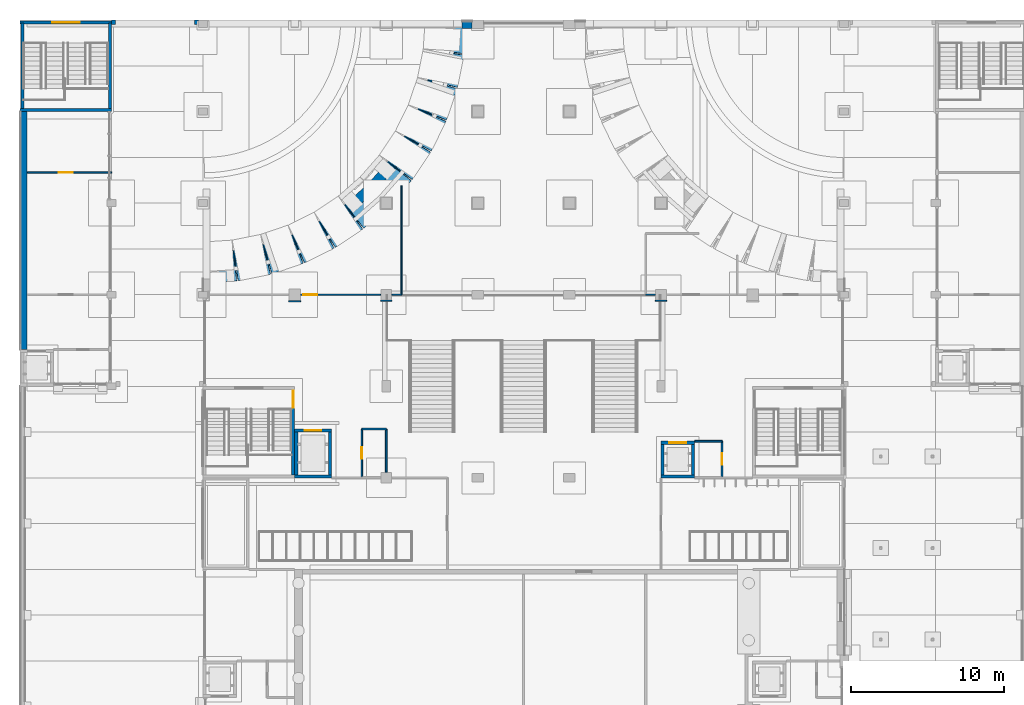
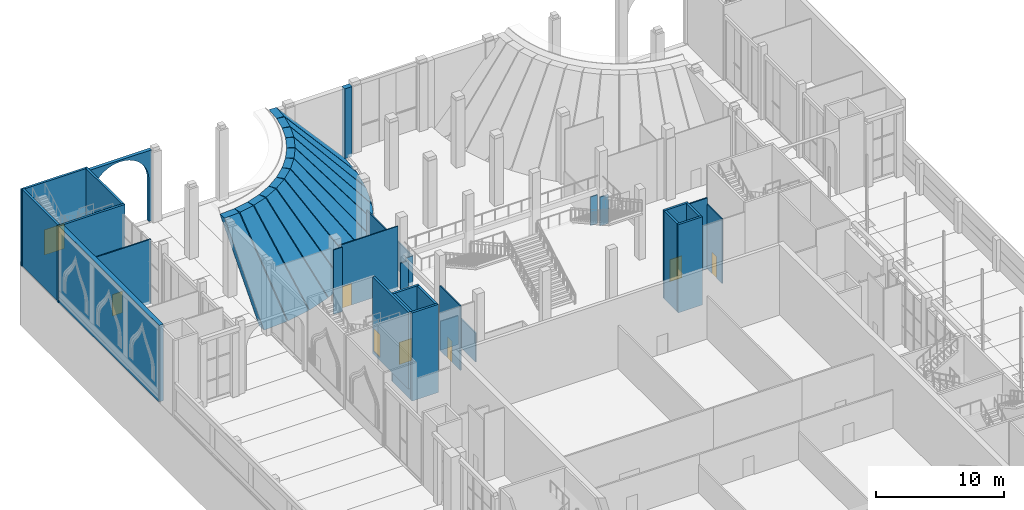
# One storey, part 50 of 95: 41 walls, 8 doors, 8 openings.
"""IFC4 building model written with IfcOpenShell, lengths in metres."""

from ifc_helpers import new_model, si_unit, direction, frame, frame_2d, origin, place, context, subcontext, project, spatial, polyline, rectangle, outline, extrude, material, layer, layer_set, type_object, element, fill, save


model = new_model("IFC4")

# Units and contexts
model_context = context("Model", 3, precision=1e-05, world=origin(), true_north=direction((0.0, 1.0)))
body_context = subcontext(model_context, "Body", "Model", "MODEL_VIEW")
ifc_project = project(units=[si_unit("LENGTHUNIT", "METRE"), si_unit("AREAUNIT", "SQUARE_METRE"), si_unit("VOLUMEUNIT", "CUBIC_METRE"), si_unit("PLANEANGLEUNIT", "RADIAN"), si_unit("MASSUNIT", "GRAM", prefix="KILO")], contexts=[model_context])

# Site, building, storey
site_placement = place(None, origin())
site = spatial("IfcSite", under=ifc_project, at=site_placement, CompositionType="ELEMENT")
building_placement = place(site_placement, origin())
building = spatial("IfcBuilding", under=site, at=building_placement, Name="Saffron Lane Theatres", CompositionType="ELEMENT")
storey_placement = place(building_placement, origin())
storey = spatial("IfcBuildingStorey", under=building, at=storey_placement, Name="L00", CompositionType="ELEMENT", Elevation=0.0)

# Walls
ifc_material_1 = material(Name="Masonry pale clay brick", Category="masonry")
ifc_layer_1 = layer(ifc_material_1, 0.300048828125)
ifc_layer_set_1 = layer_set([ifc_layer_1], Name="Masonry pale clay brick")
wall_type_1 = type_object("IfcWallType", Name="EX-ARCH SPANDREL BRICK 300", PredefinedType="SOLIDWALL", material=ifc_layer_set_1)
wall_1_placement = place(storey_placement, frame((6.0, 126.0, 0.0), z_axis=(0.0, 1.0, 0.0), x_axis=(0.0, 0.0, 1.0)))
element("IfcWall", 1, at=wall_1_placement, inside=storey, type_object=wall_type_1, Name="Arcade arch spandrel 1", PredefinedType="SOLIDWALL", context=body_context, shape_type="SweptSolid", body=[
    extrude(outline(polyline([(0.0, 0.0), (6.75, 0.0), (6.75, 5.699951171875), (0.0, 5.699951171875), (0.0, 5.449951171875), (4.0, 5.449951171875), (4.406982421875, 5.41796875), (4.802978515625, 5.322998046875), (5.179931640625, 5.1669921875), (5.528076171875, 4.952880859375), (5.837890625, 4.68798828125), (6.10302734375, 4.3779296875), (6.31689453125, 4.030029296875), (6.472900390625, 3.653076171875), (6.568115234375, 3.257080078125), (6.60009765625, 2.85009765625), (6.568115234375, 2.443115234375), (6.472900390625, 2.047119140625), (6.31689453125, 1.669921875), (6.10302734375, 1.322021484375), (5.837890625, 1.011962890625), (5.528076171875, 0.7470703125), (5.179931640625, 0.532958984375), (4.802978515625, 0.376953125), (4.406982421875, 0.281982421875), (4.0, 0.25), (0.0, 0.25), (0.0, 0.0)])), origin(), (0.0, 0.0, -1.0), 0.300048828125),
])
ifc_material_2 = material(Name="Masonry pale clay brick", Category="masonry")
ifc_layer_2 = layer(ifc_material_2, 0.449951171875)
ifc_layer_set_2 = layer_set([ifc_layer_2], Name="Masonry pale clay brick")
wall_type_2 = type_object("IfcWallType", Name="EX-WALL BRICK 450", PredefinedType="SOLIDWALL", material=ifc_layer_set_2)
wall_2_placement = place(storey_placement, frame((28.96826171875, 125.675048828125, 0.0), z_axis=(0.0, 0.0, 1.0), x_axis=(1.0, 0.0, 0.0)))
element("IfcWall", 2, at=wall_2_placement, inside=storey, type_object=wall_type_2, Name="External wall L00 07", PredefinedType="SOLIDWALL", context=body_context, shape_type="SweptSolid", body=[
    extrude(rectangle(XDim=0.65673828125, YDim=0.449951171875, at=frame_2d((0.328369140625, 0.0))), origin(), (0.0, 0.0, 1.0), 6.64990234375),
])

# Wall, opening, door
ifc_material_3 = material(Name="Masonry block partition", Category="masonry")
ifc_layer_3 = layer(ifc_material_3, 0.110107421875)
ifc_layer_set_3 = layer_set([ifc_layer_3], Name="Masonry block partition")
wall_type_3 = type_object("IfcWallType", Name="IN-BLOCK PARTITION 110", PredefinedType="PARTITIONING", material=ifc_layer_set_3)
wall_3_placement = place(storey_placement, frame((0.47998046875, 116.0, 0.0), z_axis=(0.0, 0.0, 1.0), x_axis=(1.0, 0.0, 0.0)))
wall_3 = element("IfcWall", 3, at=wall_3_placement, inside=storey, type_object=wall_type_3, Name="PW-L00-006", PredefinedType="PARTITIONING", context=body_context, shape_type="SweptSolid", body=[
    extrude(rectangle(XDim=5.52001953125, YDim=0.110107421875, at=frame_2d((2.760009765625, 0.0))), origin(), (0.0, 0.0, 1.0), 6.14990234375),
])
opening_1_placement = place(wall_3_placement, frame((2.070068359375, 0.0, 0.0)))
opening_1 = element("IfcOpeningElement", 4, at=opening_1_placement, cuts=wall_3, Name="Opening D00-02", PredefinedType="OPENING", context=body_context, shape_type="SweptSolid", body=[
    extrude(rectangle(XDim=0.919921875, YDim=2.0400390625, at=frame_2d((0.4599609375, 1.02001953125))), frame((0.0, 0.06494140625, 0.0), z_axis=(0.0, -1.0, 0.0), x_axis=(1.0, 0.0, 0.0)), (0.0, 0.0, 1.0), 0.130126953125),
])
ifc_material_4 = material(Name="Steel faced fire door leaf", Category="steel")
door_type_1 = type_object("IfcDoorType", Name="IN-DOOR 920x2040 FD60", OperationType="NOTDEFINED", PredefinedType="DOOR", material=ifc_material_4)
door_1_placement = place(opening_1_placement, origin())
door_1 = element("IfcDoor", 5, at=door_1_placement, inside=storey, type_object=door_type_1, Name="D00-02", OperationType="SINGLE_SWING_RIGHT", OverallHeight=2.0400390625, OverallWidth=0.919921875, PredefinedType="DOOR", context=body_context, shape_type="SweptSolid", body=[
    extrude(rectangle(XDim=0.919921875, YDim=2.0400390625, at=frame_2d((0.4599609375, 1.02001953125))), frame((0.0, 0.02490234375, 0.0), z_axis=(0.0, -1.0, 0.0), x_axis=(1.0, 0.0, 0.0)), (0.0, 0.0, 1.0), 0.050048828125),
])
fill(opening_1, door_1)

wall_4_placement = place(storey_placement, frame((46.0, 96.0, 0.0), z_axis=(0.0, 0.0, 1.0), x_axis=(0.0, 1.0, 0.0)))
wall_4 = element("IfcWall", 6, at=wall_4_placement, inside=storey, type_object=wall_type_3, Name="PW-L00-043", PredefinedType="PARTITIONING", context=body_context, shape_type="SweptSolid", body=[
    extrude(rectangle(XDim=2.39990234375, YDim=0.110107421875, at=frame_2d((1.199951171875, 0.0))), origin(), (0.0, 0.0, 1.0), 6.14990234375),
])
opening_2_placement = place(wall_4_placement, frame((0.85009765625, 0.0, 0.0)))
opening_2 = element("IfcOpeningElement", 7, at=opening_2_placement, cuts=wall_4, Name="Opening D00-45", PredefinedType="OPENING", context=body_context, shape_type="SweptSolid", body=[
    extrude(rectangle(XDim=0.75, YDim=2.0400390625, at=frame_2d((0.375, 1.02001953125))), frame((0.0, 0.06494140625, 0.0), z_axis=(0.0, -1.0, 0.0), x_axis=(1.0, 0.0, 0.0)), (0.0, 0.0, 1.0), 0.130126953125),
])
ifc_material_5 = material(Name="Steel faced fire door leaf", Category="steel")
door_type_2 = type_object("IfcDoorType", Name="IN-DOOR 750x2040 FD60", OperationType="NOTDEFINED", PredefinedType="DOOR", material=ifc_material_5)
door_2_placement = place(opening_2_placement, origin())
door_2 = element("IfcDoor", 8, at=door_2_placement, inside=storey, type_object=door_type_2, Name="D00-45", OperationType="SINGLE_SWING_RIGHT", OverallHeight=2.0400390625, OverallWidth=0.75, PredefinedType="DOOR", context=body_context, shape_type="SweptSolid", body=[
    extrude(rectangle(XDim=0.75, YDim=2.0400390625, at=frame_2d((0.375, 1.02001953125))), frame((0.0, 0.02490234375, 0.0), z_axis=(0.0, -1.0, 0.0), x_axis=(1.0, 0.0, 0.0)), (0.0, 0.0, 1.0), 0.050048828125),
])
fill(opening_2, door_2)

# Walls
wall_5_placement = place(storey_placement, frame((44.219970703125, 98.39990234375, 0.0), z_axis=(0.0, 0.0, 1.0), x_axis=(1.0, 0.0, 0.0)))
element("IfcWall", 9, at=wall_5_placement, inside=storey, type_object=wall_type_3, Name="PW-L00-044", PredefinedType="PARTITIONING", context=body_context, shape_type="SweptSolid", body=[
    extrude(rectangle(XDim=1.780029296875, YDim=0.110107421875, at=frame_2d((0.89013671875, 0.0))), origin(), (0.0, 0.0, 1.0), 6.75),
])
wall_6_placement = place(storey_placement, frame((24.0, 96.3701171875, 0.0), z_axis=(0.0, 0.0, 1.0), x_axis=(0.0, 1.0, 0.0)))
element("IfcWall", 10, at=wall_6_placement, inside=storey, type_object=wall_type_3, Name="PW-L00-055", PredefinedType="PARTITIONING", context=body_context, shape_type="SweptSolid", body=[
    extrude(rectangle(XDim=2.829833984375, YDim=0.110107421875, at=frame_2d((1.4150390625, 0.0))), origin(), (0.0, 0.0, 1.0), 2.75),
])
wall_7_placement = place(storey_placement, frame((22.39990234375, 99.199951171875, 0.0), z_axis=(0.0, 0.0, 1.0), x_axis=(1.0, 0.0, 0.0)))
element("IfcWall", 11, at=wall_7_placement, inside=storey, type_object=wall_type_3, Name="PW-L00-056", PredefinedType="PARTITIONING", context=body_context, shape_type="SweptSolid", body=[
    extrude(rectangle(XDim=1.60009765625, YDim=0.110107421875, at=frame_2d((0.800048828125, 0.0))), origin(), (0.0, 0.0, 1.0), 2.75),
])

# Wall, opening, door
wall_8_placement = place(storey_placement, frame((22.39990234375, 96.0, 0.0), z_axis=(0.0, 0.0, 1.0), x_axis=(0.0, 1.0, 0.0)))
wall_8 = element("IfcWall", 12, at=wall_8_placement, inside=storey, type_object=wall_type_3, Name="PW-L00-057", PredefinedType="PARTITIONING", context=body_context, shape_type="SweptSolid", body=[
    extrude(rectangle(XDim=3.199951171875, YDim=0.110107421875, at=frame_2d((1.60009765625, 0.0))), origin(), (0.0, 0.0, 1.0), 6.14990234375),
])
opening_3_placement = place(wall_8_placement, frame((1.25, 0.0, 0.0)))
opening_3 = element("IfcOpeningElement", 13, at=opening_3_placement, cuts=wall_8, Name="Opening D00-44", PredefinedType="OPENING", context=body_context, shape_type="SweptSolid", body=[
    extrude(rectangle(XDim=0.75, YDim=2.0400390625, at=frame_2d((0.375, 1.02001953125))), frame((0.0, 0.06494140625, 0.0), z_axis=(0.0, -1.0, 0.0), x_axis=(1.0, 0.0, 0.0)), (0.0, 0.0, 1.0), 0.130126953125),
])
door_3_placement = place(opening_3_placement, frame((0.75, 0.0, 0.0), z_axis=(0.0, 0.0, 1.0), x_axis=(-1.0, 0.0, 0.0)))
door_3 = element("IfcDoor", 14, at=door_3_placement, inside=storey, type_object=door_type_2, Name="D00-44", OperationType="SINGLE_SWING_LEFT", OverallHeight=2.0400390625, OverallWidth=0.75, PredefinedType="DOOR", context=body_context, shape_type="SweptSolid", body=[
    extrude(rectangle(XDim=0.75, YDim=2.0400390625, at=frame_2d((0.375, 1.02001953125))), frame((0.0, 0.02490234375, 0.0), z_axis=(0.0, -1.0, 0.0), x_axis=(1.0, 0.0, 0.0)), (0.0, 0.0, 1.0), 0.050048828125),
])
fill(opening_3, door_3)

ifc_material_6 = material(Name="Plasterboard on 90 mm steel studs", Category="steel")
ifc_layer_4 = layer(ifc_material_6, 0.090087890625)
ifc_layer_set_4 = layer_set([ifc_layer_4], Name="Plasterboard on 90 mm steel studs")
wall_type_4 = type_object("IfcWallType", Name="IN-STUD PARTITION 090", PredefinedType="PARTITIONING", material=ifc_layer_set_4)
wall_9_placement = place(storey_placement, frame((18.39501953125, 108.0, 0.0), z_axis=(0.0, 0.0, 1.0), x_axis=(1.0, 0.0, 0.0)))
wall_9 = element("IfcWall", 15, at=wall_9_placement, inside=storey, type_object=wall_type_4, Name="PW-L00-104", PredefinedType="PARTITIONING", context=body_context, shape_type="SweptSolid", body=[
    extrude(rectangle(XDim=5.23486328125, YDim=0.090087890625, at=frame_2d((2.617431640625, 0.0))), origin(), (0.0, 0.0, 1.0), 6.050048828125),
])
opening_4_placement = place(wall_9_placement, frame((0.155029296875, 0.0, 0.0)))
opening_4 = element("IfcOpeningElement", 16, at=opening_4_placement, cuts=wall_9, Name="Opening D00-04", PredefinedType="OPENING", context=body_context, shape_type="SweptSolid", body=[
    extrude(rectangle(XDim=0.919921875, YDim=2.0400390625, at=frame_2d((0.4599609375, 1.02001953125))), frame((0.0, 0.05517578125, 0.0), z_axis=(0.0, -1.0, 0.0), x_axis=(1.0, 0.0, 0.0)), (0.0, 0.0, 1.0), 0.110107421875),
])
ifc_material_7 = material(Name="Timber door leaf", Category="wood")
door_type_3 = type_object("IfcDoorType", Name="IN-DOOR 920x2040", OperationType="NOTDEFINED", PredefinedType="DOOR", material=ifc_material_7)
door_4_placement = place(opening_4_placement, origin())
door_4 = element("IfcDoor", 17, at=door_4_placement, inside=storey, type_object=door_type_3, Name="D00-04", OperationType="SINGLE_SWING_RIGHT", OverallHeight=2.0400390625, OverallWidth=0.919921875, PredefinedType="DOOR", context=body_context, shape_type="SweptSolid", body=[
    extrude(rectangle(XDim=0.919921875, YDim=2.0400390625, at=frame_2d((0.4599609375, 1.02001953125))), frame((0.0, 0.02490234375, 0.0), z_axis=(0.0, -1.0, 0.0), x_axis=(1.0, 0.0, 0.0)), (0.0, 0.0, 1.0), 0.050048828125),
])
fill(opening_4, door_4)

# Walls
wall_10_placement = place(storey_placement, frame((24.3701171875, 108.0, 0.0), z_axis=(0.0, 0.0, 1.0), x_axis=(1.0, 0.0, 0.0)))
element("IfcWall", 18, at=wall_10_placement, inside=storey, type_object=wall_type_4, Name="PW-L00-105", PredefinedType="PARTITIONING", context=body_context, shape_type="SweptSolid", body=[
    extrude(rectangle(XDim=0.6298828125, YDim=0.090087890625, at=frame_2d((0.31494140625, 0.0))), origin(), (0.0, 0.0, 1.0), 2.75),
])
wall_11_placement = place(storey_placement, frame((17.60498046875, 107.574951171875, 0.0), z_axis=(0.0, 0.0, 1.0), x_axis=(1.0, 0.0, 0.0)))
element("IfcWall", 19, at=wall_11_placement, inside=storey, type_object=wall_type_4, Name="PW-L00-106", PredefinedType="PARTITIONING", context=body_context, shape_type="SweptSolid", body=[
    extrude(rectangle(XDim=0.7900390625, YDim=0.090087890625, at=frame_2d((0.39501953125, 0.0))), origin(), (0.0, 0.0, 1.0), 6.14990234375),
])
wall_12_placement = place(storey_placement, frame((23.6298828125, 107.60009765625, 0.0), z_axis=(0.0, 0.0, 1.0), x_axis=(1.0, 0.0, 0.0)))
element("IfcWall", 20, at=wall_12_placement, inside=storey, type_object=wall_type_4, Name="PW-L00-107", PredefinedType="PARTITIONING", context=body_context, shape_type="SweptSolid", body=[
    extrude(rectangle(XDim=0.740234375, YDim=0.090087890625, at=frame_2d((0.3701171875, 0.0))), origin(), (0.0, 0.0, 1.0), 2.75),
])
wall_13_placement = place(storey_placement, frame((25.0, 108.0, 0.0), z_axis=(0.0, 0.0, 1.0), x_axis=(0.0, 1.0, 0.0)))
element("IfcWall", 21, at=wall_13_placement, inside=storey, type_object=wall_type_4, Name="PW-L00-108", PredefinedType="PARTITIONING", context=body_context, shape_type="SweptSolid", body=[
    extrude(rectangle(XDim=7.143310546875, YDim=0.090087890625, at=frame_2d((3.57177734375, 0.0))), origin(), (0.0, 0.0, 1.0), 2.75),
])
wall_14_placement = place(storey_placement, frame((41.0, 108.0, 0.0), z_axis=(0.0, 0.0, 1.0), x_axis=(1.0, 0.0, 0.0)))
element("IfcWall", 22, at=wall_14_placement, inside=storey, type_object=wall_type_4, Name="PW-L00-115", PredefinedType="PARTITIONING", context=body_context, shape_type="SweptSolid", body=[
    extrude(rectangle(XDim=0.6298828125, YDim=0.090087890625, at=frame_2d((0.31494140625, 0.0))), origin(), (0.0, 0.0, 1.0), 2.75),
])
wall_15_placement = place(storey_placement, frame((41.6298828125, 107.60009765625, 0.0), z_axis=(0.0, 0.0, 1.0), x_axis=(1.0, 0.0, 0.0)))
element("IfcWall", 23, at=wall_15_placement, inside=storey, type_object=wall_type_4, Name="PW-L00-117", PredefinedType="PARTITIONING", context=body_context, shape_type="SweptSolid", body=[
    extrude(rectangle(XDim=0.740234375, YDim=0.090087890625, at=frame_2d((0.3701171875, 0.0))), origin(), (0.0, 0.0, 1.0), 2.75),
])

# Wall, opening, door
ifc_material_8 = material(Name="Concrete N50 (50 MPa)", Category="concrete")
ifc_layer_5 = layer(ifc_material_8, 0.199951171875)
ifc_layer_set_5 = layer_set([ifc_layer_5], Name="Concrete N50 (50 MPa)")
wall_type_5 = type_object("IfcWallType", Name="RC-CORE 200", PredefinedType="SHEAR", material=ifc_layer_set_5)
wall_16_placement = place(storey_placement, frame((17.89990234375, 96.199951171875, -0.300048828125), z_axis=(0.0, 0.0, 1.0), x_axis=(0.0, 1.0, 0.0)))
wall_16 = element("IfcWall", 24, at=wall_16_placement, inside=storey, type_object=wall_type_5, Name="W-ST1-E-L00", PredefinedType="SHEAR", context=body_context, shape_type="SweptSolid", body=[
    extrude(rectangle(XDim=5.60009765625, YDim=0.199951171875, at=frame_2d((2.800048828125, 0.0))), origin(), (0.0, 0.0, 1.0), 7.300048828125),
])
opening_5_placement = place(wall_16_placement, frame((4.39990234375, 0.0, 0.300048828125)))
opening_5 = element("IfcOpeningElement", 25, at=opening_5_placement, cuts=wall_16, Name="Opening D00-32", PredefinedType="OPENING", context=body_context, shape_type="SweptSolid", body=[
    extrude(rectangle(XDim=1.10009765625, YDim=2.199951171875, at=frame_2d((0.550048828125, 1.10009765625))), frame((0.0, 0.10986328125, 0.0), z_axis=(0.0, -1.0, 0.0), x_axis=(1.0, 0.0, 0.0)), (0.0, 0.0, 1.0), 0.219970703125),
])
ifc_material_9 = material(Name="Steel faced fire door leaf", Category="steel")
door_type_4 = type_object("IfcDoorType", Name="IN-DOOR 1100x2200 FD120", OperationType="NOTDEFINED", PredefinedType="DOOR", material=ifc_material_9)
door_5_placement = place(opening_5_placement, origin())
door_5 = element("IfcDoor", 26, at=door_5_placement, inside=storey, type_object=door_type_4, Name="D00-32", OperationType="SINGLE_SWING_LEFT", OverallHeight=2.199951171875, OverallWidth=1.10009765625, PredefinedType="DOOR", context=body_context, shape_type="SweptSolid", body=[
    extrude(rectangle(XDim=1.10009765625, YDim=2.199951171875, at=frame_2d((0.550048828125, 1.10009765625))), frame((0.0, 0.02490234375, 0.0), z_axis=(0.0, -1.0, 0.0), x_axis=(1.0, 0.0, 0.0)), (0.0, 0.0, 1.0), 0.050048828125),
])
fill(opening_5, door_5)

# Wall
wall_17_placement = place(storey_placement, frame((0.0, 120.10009765625, -0.300048828125), z_axis=(0.0, 0.0, 1.0), x_axis=(1.0, 0.0, 0.0)))
element("IfcWall", 27, at=wall_17_placement, inside=storey, type_object=wall_type_5, Name="W-ST14-S-L00", PredefinedType="SHEAR", context=body_context, shape_type="SweptSolid", body=[
    extrude(rectangle(XDim=6.0, YDim=0.199951171875, at=frame_2d((3.0, 0.0))), origin(), (0.0, 0.0, 1.0), 7.300048828125),
])

# Wall, opening, door
wall_18_placement = place(storey_placement, frame((18.0, 99.10009765625, -1.39990234375), z_axis=(0.0, 0.0, 1.0), x_axis=(1.0, 0.0, 0.0)))
wall_18 = element("IfcWall", 28, at=wall_18_placement, inside=storey, type_object=wall_type_5, Name="W-LC1-N-L00", PredefinedType="SHEAR", context=body_context, shape_type="SweptSolid", body=[
    extrude(rectangle(XDim=2.39990234375, YDim=0.199951171875, at=frame_2d((1.199951171875, 0.0))), origin(), (0.0, 0.0, 1.0), 8.39990234375),
])
opening_6_placement = place(wall_18_placement, frame((0.64990234375, 0.0, 1.39990234375)))
opening_6 = element("IfcOpeningElement", 29, at=opening_6_placement, cuts=wall_18, Name="Opening LD1", PredefinedType="OPENING", context=body_context, shape_type="SweptSolid", body=[
    extrude(rectangle(XDim=1.10009765625, YDim=2.10009765625, at=frame_2d((0.550048828125, 1.050048828125))), frame((0.0, 0.10986328125, 0.0), z_axis=(0.0, -1.0, 0.0), x_axis=(1.0, 0.0, 0.0)), (0.0, 0.0, 1.0), 0.219970703125),
])
ifc_material_10 = material(Name="Stainless steel 316", Category="steel")
door_type_5 = type_object("IfcDoorType", Name="VC-LANDING DOOR 1100x2100", OperationType="DOUBLE_DOOR_SLIDING", PredefinedType="DOOR", material=ifc_material_10)
door_6_placement = place(opening_6_placement, origin())
door_6 = element("IfcDoor", 30, at=door_6_placement, inside=storey, type_object=door_type_5, Name="Landing doors LC1 L00", OperationType="DOUBLE_DOOR_SLIDING", OverallHeight=2.10009765625, OverallWidth=1.10009765625, PredefinedType="DOOR", context=body_context, shape_type="SweptSolid", body=[
    extrude(rectangle(XDim=1.10009765625, YDim=2.10009765625, at=frame_2d((0.550048828125, 1.050048828125))), frame((0.0, 0.02490234375, 0.0), z_axis=(0.0, -1.0, 0.0), x_axis=(1.0, 0.0, 0.0)), (0.0, 0.0, 1.0), 0.050048828125),
])
fill(opening_6, door_6)

# Walls
wall_19_placement = place(storey_placement, frame((18.0, 96.10009765625, -1.39990234375), z_axis=(0.0, 0.0, 1.0), x_axis=(1.0, 0.0, 0.0)))
element("IfcWall", 31, at=wall_19_placement, inside=storey, type_object=wall_type_5, Name="W-LC1-S-L00", PredefinedType="SHEAR", context=body_context, shape_type="SweptSolid", body=[
    extrude(rectangle(XDim=2.39990234375, YDim=0.199951171875, at=frame_2d((1.199951171875, 0.0))), origin(), (0.0, 0.0, 1.0), 8.39990234375),
])
for number, where, z_axis, x_axis, name in (
    (32, (18.10009765625, 96.199951171875, -1.39990234375), (0.0, 0.0, 1.0), (0.0, 1.0, 0.0), "W-LC1-W-L00"),
    (33, (20.300048828125, 96.199951171875, -1.39990234375), (0.0, 0.0, 1.0), (0.0, 1.0, 0.0), "W-LC1-E-L00"),
):
    element("IfcWall", number, at=place(storey_placement, frame(where, z_axis=z_axis, x_axis=x_axis)), inside=storey, type_object=wall_type_5, Name=name, PredefinedType="SHEAR", context=body_context, shape_type="SweptSolid", body=[
        extrude(rectangle(XDim=2.800048828125, YDim=0.199951171875, at=frame_2d((1.39990234375, 0.0))), origin(), (0.0, 0.0, 1.0), 8.39990234375),
    ])

# Wall, opening, door
wall_20_placement = place(storey_placement, frame((42.0, 98.300048828125, -1.39990234375), z_axis=(0.0, 0.0, 1.0), x_axis=(1.0, 0.0, 0.0)))
wall_20 = element("IfcWall", 34, at=wall_20_placement, inside=storey, type_object=wall_type_5, Name="W-LC2-N-L00", PredefinedType="SHEAR", context=body_context, shape_type="SweptSolid", body=[
    extrude(rectangle(XDim=2.199951171875, YDim=0.199951171875, at=frame_2d((1.10009765625, 0.0))), origin(), (0.0, 0.0, 1.0), 8.39990234375),
])
opening_7_placement = place(wall_20_placement, frame((0.550048828125, 0.0, 1.39990234375)))
opening_7 = element("IfcOpeningElement", 35, at=opening_7_placement, cuts=wall_20, Name="Opening LD5", PredefinedType="OPENING", context=body_context, shape_type="SweptSolid", body=[
    extrude(rectangle(XDim=1.10009765625, YDim=2.10009765625, at=frame_2d((0.550048828125, 1.050048828125))), frame((0.0, 0.10986328125, 0.0), z_axis=(0.0, -1.0, 0.0), x_axis=(1.0, 0.0, 0.0)), (0.0, 0.0, 1.0), 0.219970703125),
])
door_7_placement = place(opening_7_placement, origin())
door_7 = element("IfcDoor", 36, at=door_7_placement, inside=storey, type_object=door_type_5, Name="Landing doors LC2 L00", OperationType="DOUBLE_DOOR_SLIDING", OverallHeight=2.10009765625, OverallWidth=1.10009765625, PredefinedType="DOOR", context=body_context, shape_type="SweptSolid", body=[
    extrude(rectangle(XDim=1.10009765625, YDim=2.10009765625, at=frame_2d((0.550048828125, 1.050048828125))), frame((0.0, 0.02490234375, 0.0), z_axis=(0.0, -1.0, 0.0), x_axis=(1.0, 0.0, 0.0)), (0.0, 0.0, 1.0), 0.050048828125),
])
fill(opening_7, door_7)

# Walls
wall_21_placement = place(storey_placement, frame((42.0, 96.10009765625, -1.39990234375), z_axis=(0.0, 0.0, 1.0), x_axis=(1.0, 0.0, 0.0)))
element("IfcWall", 37, at=wall_21_placement, inside=storey, type_object=wall_type_5, Name="W-LC2-S-L00", PredefinedType="SHEAR", context=body_context, shape_type="SweptSolid", body=[
    extrude(rectangle(XDim=2.199951171875, YDim=0.199951171875, at=frame_2d((1.10009765625, 0.0))), origin(), (0.0, 0.0, 1.0), 8.39990234375),
])
for number, where, z_axis, x_axis, name in (
    (38, (42.10009765625, 96.199951171875, -1.39990234375), (0.0, 0.0, 1.0), (0.0, 1.0, 0.0), "W-LC2-W-L00"),
    (39, (44.10009765625, 96.199951171875, -1.39990234375), (0.0, 0.0, 1.0), (0.0, 1.0, 0.0), "W-LC2-E-L00"),
):
    element("IfcWall", number, at=place(storey_placement, frame(where, z_axis=z_axis, x_axis=x_axis)), inside=storey, type_object=wall_type_5, Name=name, PredefinedType="SHEAR", context=body_context, shape_type="SweptSolid", body=[
        extrude(rectangle(XDim=2.0, YDim=0.199951171875, at=frame_2d((1.0, 0.0))), origin(), (0.0, 0.0, 1.0), 8.39990234375),
    ])

# Wall, opening, door
ifc_material_11 = material(Name="Concrete N50 (50 MPa)", Category="concrete")
ifc_layer_6 = layer(ifc_material_11, 0.199951171875)
ifc_layer_set_6 = layer_set([ifc_layer_6], Name="Concrete N50 (50 MPa)")
wall_type_6 = type_object("IfcWallType", Name="RC-CORE EXTERNAL 200", PredefinedType="SHEAR", material=ifc_layer_set_6)
wall_22_placement = place(storey_placement, frame((0.0, 125.840087890625, -0.300048828125), z_axis=(0.0, 0.0, 1.0), x_axis=(1.0, 0.0, 0.0)))
wall_22 = element("IfcWall", 40, at=wall_22_placement, inside=storey, type_object=wall_type_6, Name="W-ST14-N-L00", PredefinedType="SHEAR", context=body_context, shape_type="SweptSolid", body=[
    extrude(rectangle(XDim=6.0, YDim=0.199951171875, at=frame_2d((3.0, 0.0))), origin(), (0.0, 0.0, 1.0), 7.300048828125),
])
opening_8_placement = place(wall_22_placement, frame((2.10009765625, 0.0, 0.300048828125)))
opening_8 = element("IfcOpeningElement", 41, at=opening_8_placement, cuts=wall_22, Name="Opening EDST14", PredefinedType="OPENING", context=body_context, shape_type="SweptSolid", body=[
    extrude(rectangle(XDim=1.800048828125, YDim=2.39990234375, at=frame_2d((0.89990234375, 1.199951171875))), frame((0.0, 0.10986328125, 0.0), z_axis=(0.0, -1.0, 0.0), x_axis=(1.0, 0.0, 0.0)), (0.0, 0.0, 1.0), 0.219970703125),
])
ifc_material_12 = material(Name="Steel faced fire door leaf", Category="steel")
door_type_6 = type_object("IfcDoorType", Name="EX-EXIT DOOR PAIR 1800x2400", OperationType="DOUBLE_DOOR_SINGLE_SWING", PredefinedType="DOOR", material=ifc_material_12)
door_8_placement = place(opening_8_placement, origin())
door_8 = element("IfcDoor", 42, at=door_8_placement, inside=storey, type_object=door_type_6, Name="Exit door ST14", OperationType="DOUBLE_DOOR_SINGLE_SWING", OverallHeight=2.39990234375, OverallWidth=1.800048828125, PredefinedType="DOOR", context=body_context, shape_type="SweptSolid", body=[
    extrude(rectangle(XDim=1.800048828125, YDim=2.39990234375, at=frame_2d((0.89990234375, 1.199951171875))), frame((0.0, 0.02490234375, 0.0), z_axis=(0.0, -1.0, 0.0), x_axis=(1.0, 0.0, 0.0)), (0.0, 0.0, 1.0), 0.050048828125),
])
fill(opening_8, door_8)

# Walls
for number, where, z_axis, x_axis, name in (
    (43, (0.159912109375, 120.199951171875, -0.300048828125), (0.0, 0.0, 1.0), (0.0, 1.0, 0.0), "W-ST14-W-L00"),
    (44, (5.89990234375, 120.199951171875, -0.300048828125), (0.0, 0.0, 1.0), (0.0, 1.0, 0.0), "W-ST14-E-L00"),
):
    element("IfcWall", number, at=place(storey_placement, frame(where, z_axis=z_axis, x_axis=x_axis)), inside=storey, type_object=wall_type_6, Name=name, PredefinedType="SHEAR", context=body_context, shape_type="SweptSolid", body=[
        extrude(rectangle(XDim=5.60009765625, YDim=0.199951171875, at=frame_2d((2.800048828125, 0.0))), origin(), (0.0, 0.0, 1.0), 7.300048828125),
    ])
ifc_material_13 = material(Name="Concrete N50 (50 MPa)", Category="concrete")
ifc_layer_7 = layer(ifc_material_13, 0.39990234375)
ifc_layer_set_7 = layer_set([ifc_layer_7], Name="Concrete N50 (50 MPa)")
wall_type_7 = type_object("IfcWallType", Name="RC-PARTY 400", PredefinedType="SOLIDWALL", material=ifc_layer_set_7)
wall_23_placement = place(storey_placement, frame((0.260009765625, 104.39990234375, -0.300048828125), z_axis=(0.0, 0.0, 1.0), x_axis=(0.0, 1.0, 0.0)))
element("IfcWall", 45, at=wall_23_placement, inside=storey, type_object=wall_type_7, Name="W-PARTY-W-104-L00", PredefinedType="SOLIDWALL", context=body_context, shape_type="SweptSolid", body=[
    extrude(rectangle(XDim=15.60009765625, YDim=0.39990234375, at=frame_2d((7.800048828125, 0.0))), origin(), (0.0, 0.0, 1.0), 7.300048828125),
])
ifc_material_14 = material(Name="Concrete N50 (50 MPa)", Category="concrete")
ifc_layer_8 = layer(ifc_material_14, 0.5)
ifc_layer_set_8 = layer_set([ifc_layer_8], Name="Concrete N50 (50 MPa)")
wall_type_8 = type_object("IfcWallType", Name="RC-SCOOP 500", PredefinedType="SOLIDWALL", material=ifc_layer_set_8)
wall_24_placement = place(storey_placement, frame((28.565185546875, 125.99951171875, -0.300048828125), z_axis=(0.748191222673, -0.04900815869, 0.661670684477), x_axis=(-0.065357824287, -0.997861891637, -4.871716e-06)))
element("IfcWall", 46, at=wall_24_placement, inside=storey, type_object=wall_type_8, Name="W-SCOOP-NW-L00-1-F1", PredefinedType="SOLIDWALL", context=body_context, shape_type="SweptSolid", body=[
    extrude(outline(polyline([(0.0, 0.0), (2.166741320903543, -1.3877787807814457e-17), (1.7646945184187275, -9.269151841194546), (0.4016710310718751, -9.269128906895183), (0.0, 0.0)])), origin(), (4.5268111e-05, 0.661670683642, 0.749794574774), 0.666748046875),
])
wall_25_placement = place(storey_placement, frame((28.423583984375, 123.83740234375, -0.300048828125), z_axis=(0.73538668284, -0.146257877538, 0.661675947847), x_axis=(-0.195050913102, -0.980793118363, -1.6436784e-05)))
element("IfcWall", 47, at=wall_25_placement, inside=storey, type_object=wall_type_8, Name="W-SCOOP-NW-L00-1-F2", PredefinedType="SOLIDWALL", context=body_context, shape_type="SweptSolid", body=[
    extrude(outline(polyline([(0.0, 0.0), (2.1668547914863536, -5.551115123125783e-17), (1.7644944984231317, -9.269236478715648), (0.4018792703258964, -9.269159106194476), (0.0, 0.0)])), origin(), (3.9919669e-05, 0.661675946918, 0.749789930365), 0.666748046875),
])
wall_26_placement = place(storey_placement, frame((28.0009765625, 121.712158203125, -0.300048828125), z_axis=(0.710000727249, -0.241022741766, 0.661669861228), x_axis=(-0.321485395559, -0.946914536157, 4.0695407e-05)))
element("IfcWall", 48, at=wall_26_placement, inside=storey, type_object=wall_type_8, Name="W-SCOOP-NW-L00-1-F3", PredefinedType="SOLIDWALL", context=body_context, shape_type="SweptSolid", body=[
    extrude(outline(polyline([(0.0, 0.0), (2.1670742176094273, -1.1102230246251565e-16), (1.765631630873147, -9.269035577381615), (0.40257451361315066, -9.269227176518473), (0.0, 0.0)])), origin(), (-4.8904042e-05, 0.661669859492, 0.749795301831), 0.666748046875),
])
wall_27_placement = place(storey_placement, frame((27.30419921875, 119.66015625, -0.300048828125), z_axis=(0.67247802402, -0.331623051487, 0.661664158719), x_axis=(-0.442267460576, -0.896883210339, -1.8134674e-05)))
element("IfcWall", 49, at=wall_27_placement, inside=storey, type_object=wall_type_8, Name="W-SCOOP-NW-L00-1-F4", PredefinedType="SOLIDWALL", context=body_context, shape_type="SweptSolid", body=[
    extrude(outline(polyline([(0.0, 0.0), (2.1667700529916774, 1.1102230246251565e-16), (1.7643855520035217, -9.269111860950538), (0.40165222409438467, -9.269026496365708), (0.0, 0.0)])), origin(), (2.383404e-05, 0.661664158315, 0.749800334111), 0.666748046875),
])
wall_28_placement = place(storey_placement, frame((26.345947265625, 117.716796875, -0.300048828125), z_axis=(0.623441381436, -0.416561116022, 0.661662814832), x_axis=(-0.555582904203, -0.831461145053, 2.8701608e-05)))
element("IfcWall", 50, at=wall_28_placement, inside=storey, type_object=wall_type_8, Name="W-SCOOP-NW-L00-1-F5", PredefinedType="SOLIDWALL", context=body_context, shape_type="SweptSolid", body=[
    extrude(outline(polyline([(0.0, 0.0), (2.166731223138264, 0.0), (1.7650653939082797, -9.26898696643374), (0.40214908012127515, -9.2691220776026), (0.0, 0.0)])), origin(), (-1.5648997e-05, 0.661662814687, 0.749801520014), 0.666748046875),
])
wall_29_placement = place(storey_placement, frame((25.14208984375, 115.915283203125, -0.300048828125), z_axis=(0.563727278577, -0.494389341921, 0.6616575655), x_axis=(-0.659349875833, -0.751836246232, -9.545532e-06)))
element("IfcWall", 51, at=wall_29_placement, inside=storey, type_object=wall_type_8, Name="W-SCOOP-NW-L00-1-F6", PredefinedType="SOLIDWALL", context=body_context, shape_type="SweptSolid", body=[
    extrude(outline(polyline([(0.0, 0.0), (2.1668746934764083, 0.0), (1.7648674639502824, -9.269019729672873), (0.40194665868269336, -9.268974793024302), (0.0, 0.0)])), origin(), (-5.389036e-06, 0.661657565559, 0.749806152222), 0.666748046875),
])
wall_30_placement = place(storey_placement, frame((23.71337890625, 114.2861328125, -0.300048828125), z_axis=(0.494389341921, -0.563727278577, 0.6616575655), x_axis=(-0.751836246232, -0.659349875833, 9.545532e-06)))
element("IfcWall", 52, at=wall_30_placement, inside=storey, type_object=wall_type_8, Name="W-SCOOP-NW-L00-1-F7", PredefinedType="SOLIDWALL", context=body_context, shape_type="SweptSolid", body=[
    extrude(outline(polyline([(0.0, 0.0), (2.1668746934764083, 0.0), (1.7649280347937149, -9.268974793024302), (0.40200722952612594, -9.269019729672873), (0.0, 0.0)])), origin(), (5.389036e-06, 0.661657565559, 0.749806152222), 0.666748046875),
])
wall_31_placement = place(storey_placement, frame((22.084228515625, 112.857421875, -0.300048828125), z_axis=(0.416561116022, -0.623441381436, 0.661662814832), x_axis=(-0.831461145053, -0.555582904203, -2.8701608e-05)))
element("IfcWall", 53, at=wall_31_placement, inside=storey, type_object=wall_type_8, Name="W-SCOOP-NW-L00-1-F8", PredefinedType="SOLIDWALL", context=body_context, shape_type="SweptSolid", body=[
    extrude(outline(polyline([(0.0, 0.0), (2.166731223138264, 0.0), (1.7645821430169897, -9.2691220776026), (0.40166582922998406, -9.26898696643374), (0.0, 0.0)])), origin(), (1.5648997e-05, 0.661662814687, 0.749801520014), 0.666748046875),
])
wall_32_placement = place(storey_placement, frame((20.28271484375, 111.653564453125, -0.300048828125), z_axis=(0.331623051487, -0.67247802402, 0.661664158719), x_axis=(-0.896883210339, -0.442267460576, 1.8134674e-05)))
element("IfcWall", 54, at=wall_32_placement, inside=storey, type_object=wall_type_8, Name="W-SCOOP-NW-L00-1-F9", PredefinedType="SOLIDWALL", context=body_context, shape_type="SweptSolid", body=[
    extrude(outline(polyline([(0.0, 0.0), (2.1667700529916774, -1.1102230246251565e-16), (1.765117828897293, -9.269026496365708), (0.40238450098815554, -9.269111860950538), (0.0, 0.0)])), origin(), (-2.383404e-05, 0.661664158315, 0.749800334111), 0.666748046875),
])
wall_33_placement = place(storey_placement, frame((18.33935546875, 110.6953125, -0.300048828125), z_axis=(0.241022741766, -0.710000727249, 0.661669861228), x_axis=(-0.946914536157, -0.321485395559, -4.0695407e-05)))
element("IfcWall", 55, at=wall_33_placement, inside=storey, type_object=wall_type_8, Name="W-SCOOP-NW-L00-1-F10", PredefinedType="SOLIDWALL", context=body_context, shape_type="SweptSolid", body=[
    extrude(outline(polyline([(0.0, 0.0), (2.1670742176094273, 1.1102230246251565e-16), (1.7644997039962766, -9.269227176518473), (0.4014425867362805, -9.269035577381613), (0.0, 0.0)])), origin(), (4.8904042e-05, 0.661669859492, 0.749795301831), 0.666748046875),
])
wall_34_placement = place(storey_placement, frame((16.287353515625, 109.99853515625, -0.300048828125), z_axis=(0.146257877538, -0.73538668284, 0.661675947847), x_axis=(-0.980793118363, -0.195050913102, 1.6436784e-05)))
element("IfcWall", 56, at=wall_34_placement, inside=storey, type_object=wall_type_8, Name="W-SCOOP-NW-L00-1-F11", PredefinedType="SOLIDWALL", context=body_context, shape_type="SweptSolid", body=[
    extrude(outline(polyline([(0.0, 0.0), (2.1668547914863536, 5.551115123125783e-17), (1.7649755211604572, -9.269159106194476), (0.40236029306322146, -9.269236478715646), (0.0, 0.0)])), origin(), (-3.9919669e-05, 0.661675946918, 0.749789930365), 0.666748046875),
])
wall_35_placement = place(storey_placement, frame((14.162109375, 109.575927734375, -0.300048828125), z_axis=(0.049059370702, -0.748181333112, 0.661678071972), x_axis=(-0.997856134421, -0.065445662351, -1.6668073e-05)))
element("IfcWall", 57, at=wall_35_placement, inside=storey, type_object=wall_type_8, Name="W-SCOOP-NW-L00-1-F12", PredefinedType="SOLIDWALL", context=body_context, shape_type="SweptSolid", body=[
    extrude(outline(polyline([(0.0, 0.0), (2.166757289125556, 1.3877787807814457e-17), (1.764380705779034, -9.26926019409106), (0.40135722149742087, -9.269181725726156), (0.0, 0.0)])), origin(), (4.2758426e-05, 0.661678070925, 0.749788055806), 0.666748046875),
])

save(model, "model.ifc")
